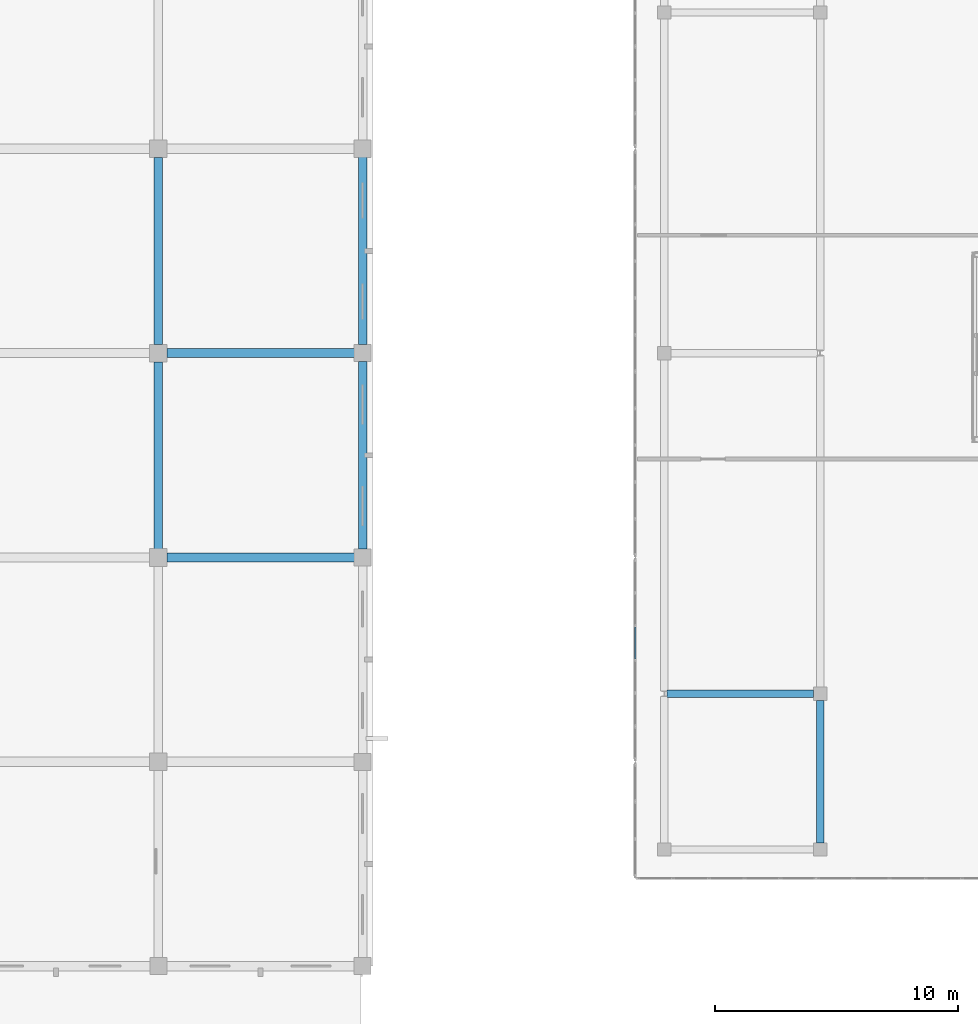
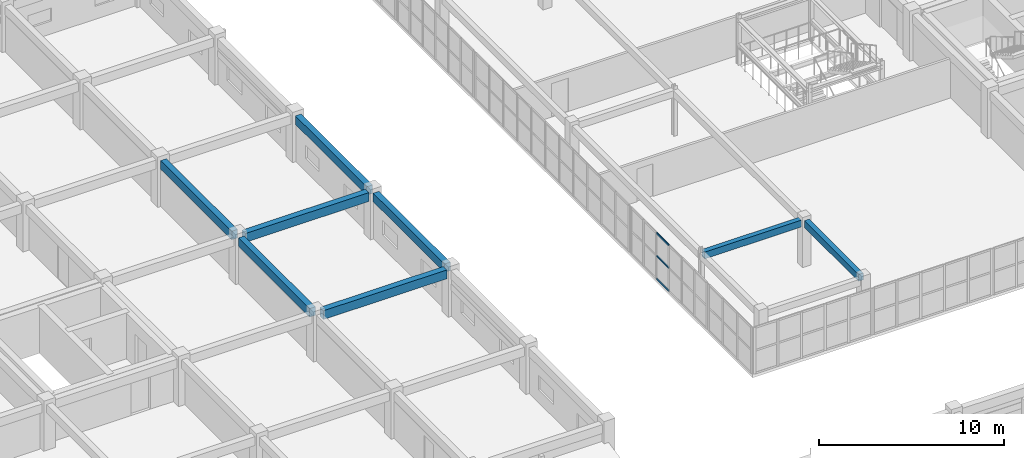
# One storey, part 17 of 148: 8 beams, 3 members, 1 element without a shape of its own.
"""IFC4 building model written with IfcOpenShell, lengths in metres."""

import ifcopenshell
import ifcopenshell.guid

model = None  # the IFC model being written
_history = None  # IfcOwnerHistory: only IFC2X3 demands one
_inside = {}  # id of a spatial element -> (the spatial element, [elements in it])
_under = {}  # id of a project, library or spatial element -> (it, [spatial elements below it])
_declared = {}  # id of a project -> (the project, [libraries it declares])
_typed = {}  # id of a type object -> (the type object, [elements of that type])
_made_of = {}  # id of a material, layer set ... -> (it, [elements and type objects made of it])


def new_model(schema):
    """Start an empty IFC model of exactly this schema.

    Asked for "IFC4X3", IfcOpenShell would pick the latest addendum, in which some entities
    have other attributes; the version numbers below select the first issue.
    IFC2X3 requires an IfcOwnerHistory on every rooted entity: one is made here for all.
    """
    global model, _history
    if schema == "IFC4X3":
        model = ifcopenshell.file(schema_version=(4, 3, 0, 0))
    else:
        model = ifcopenshell.file(schema=schema)
    _inside.clear()
    _under.clear()
    _declared.clear()
    _typed.clear()
    _made_of.clear()
    _history = None
    if model.schema == "IFC2X3":
        org = make("IfcOrganization", Name="unknown")
        user = make(
            "IfcPersonAndOrganization",
            ThePerson=make("IfcPerson", FamilyName="unknown"),
            TheOrganization=org,
        )
        app = make(
            "IfcApplication",
            ApplicationDeveloper=org,
            Version="unknown",
            ApplicationFullName="unknown",
            ApplicationIdentifier="unknown",
        )
        _history = make(
            "IfcOwnerHistory",
            OwningUser=user,
            OwningApplication=app,
            ChangeAction="ADDED",
            CreationDate=0,
        )
    return model


def make(cls, **values):
    """One entity of the class cls with the attributes given. An attribute that is None is left unset."""
    return model.create_entity(
        cls, **{name: value for name, value in values.items() if value is not None}
    )


def rooted(cls, **values):
    """An entity with a GlobalId (a new one), such as an element, a storey or a relation."""
    return make(cls, GlobalId=ifcopenshell.guid.new(), OwnerHistory=_history, **values)


def si_unit(unit_type, name, prefix=None):
    """IfcSIUnit, for example si_unit("LENGTHUNIT", "METRE", prefix="MILLI")."""
    return make("IfcSIUnit", UnitType=unit_type, Prefix=prefix, Name=name)


def assignment(units):
    """IfcUnitAssignment: the units of a project."""
    return None if units is None else make("IfcUnitAssignment", Units=units)


def point(xyz):
    """IfcCartesianPoint."""
    return None if xyz is None else make("IfcCartesianPoint", Coordinates=xyz)


def direction(xyz):
    """IfcDirection."""
    return None if xyz is None else make("IfcDirection", DirectionRatios=xyz)


def frame(location, z_axis=None, x_axis=None):
    """IfcAxis2Placement3D, a coordinate frame: its origin and axes. An axis left out is left unset."""
    return make(
        "IfcAxis2Placement3D",
        Location=point(location),
        Axis=direction(z_axis),
        RefDirection=direction(x_axis),
    )


def frame_2d(location, x_axis=None):
    """IfcAxis2Placement2D, a coordinate frame in the plane: its origin and x axis."""
    return make(
        "IfcAxis2Placement2D", Location=point(location), RefDirection=direction(x_axis)
    )


def origin():
    """The frame at (0, 0, 0) with its axes left unset."""
    return frame((0.0, 0.0, 0.0))


def origin_2d():
    """The frame at (0, 0) in the plane with its x axis left unset."""
    return frame_2d((0.0, 0.0))


def place(relative_to, where):
    """IfcLocalPlacement: puts the frame where relative to a parent placement (None: the world)."""
    return make(
        "IfcLocalPlacement", PlacementRelTo=relative_to, RelativePlacement=where
    )


def context(
    kind, dimensions, precision=None, world=None, true_north=None, identifier=None
):
    """IfcGeometricRepresentationContext, for example the 3D "Model" context."""
    return make(
        "IfcGeometricRepresentationContext",
        ContextIdentifier=identifier,
        ContextType=kind,
        CoordinateSpaceDimension=dimensions,
        Precision=precision,
        WorldCoordinateSystem=world,
        TrueNorth=true_north,
    )


def subcontext(parent, identifier, kind, view, scale=None):
    """IfcGeometricRepresentationSubContext, for example "Body" below "Model"."""
    return make(
        "IfcGeometricRepresentationSubContext",
        ContextIdentifier=identifier,
        ContextType=kind,
        ParentContext=parent,
        TargetScale=scale,
        TargetView=view,
    )


def project(units=None, contexts=None):
    """IfcProject with its units and contexts."""
    return rooted(
        "IfcProject",
        Name="project",
        RepresentationContexts=contexts,
        UnitsInContext=assignment(units),
    )


def spatial(cls, under=None, at=None, **own):
    """A site, building, storey or space (cls), placed at a placement, below another one or the project."""
    s = rooted(cls, ObjectPlacement=at, **own)
    if under is not None:
        _under.setdefault(under.id(), (under, []))[1].append(s)
    return s


def profile(cls, at=None, kind="AREA", **sizes):
    """A parametric profile (cls). Its sizes go by their IFC names, for example OverallWidth=200.0."""
    return make(cls, ProfileType=kind, Position=at, **sizes)


def rectangle(**sizes):
    """IfcRectangleProfileDef."""
    return profile("IfcRectangleProfileDef", **sizes)


def hollow_rectangle(**sizes):
    """IfcRectangleHollowProfileDef."""
    return profile("IfcRectangleHollowProfileDef", **sizes)


def extrude(swept, where, along, depth):
    """IfcExtrudedAreaSolid: the profile swept, set in the frame where, extruded along a direction by depth."""
    return make(
        "IfcExtrudedAreaSolid",
        SweptArea=swept,
        Position=where,
        ExtrudedDirection=direction(along),
        Depth=depth,
    )


def shape(context_of_items, identifier, shape_type, items):
    """IfcShapeRepresentation: the items that make up one representation, for example the "Body"."""
    return make(
        "IfcShapeRepresentation",
        ContextOfItems=context_of_items,
        RepresentationIdentifier=identifier,
        RepresentationType=shape_type,
        Items=items,
    )


def material(Name=None, Category=None):
    """IfcMaterial."""
    return make("IfcMaterial", Name=Name, Category=Category)


def layer(
    of_material, thickness, ventilated=None, Name=None, Category=None, Priority=None
):
    """IfcMaterialLayer: one layer of a wall or slab, of a material (None: an air gap)."""
    return make(
        "IfcMaterialLayer",
        Material=of_material,
        LayerThickness=thickness,
        IsVentilated=ventilated,
        Name=Name,
        Category=Category,
        Priority=Priority,
    )


def layer_set(layers, Name=None):
    """IfcMaterialLayerSet."""
    return make("IfcMaterialLayerSet", MaterialLayers=layers, LayerSetName=Name)


def material_profile(
    of_material, cross_section, Name=None, Category=None, Priority=None
):
    """IfcMaterialProfile: a cross section and its material."""
    return make(
        "IfcMaterialProfile",
        Name=Name,
        Material=of_material,
        Profile=cross_section,
        Priority=Priority,
        Category=Category,
    )


def profile_set(profiles, Name=None, composite=None):
    """IfcMaterialProfileSet."""
    return make(
        "IfcMaterialProfileSet",
        Name=Name,
        MaterialProfiles=profiles,
        CompositeProfile=composite,
    )


def made_of(thing, what):
    """Note that an element or type object is made of a material, layer set ...; save() writes the relation."""
    if what is not None:
        _made_of.setdefault(what.id(), (what, []))[1].append(thing)
    return thing


def type_object(cls, material=None, **own):
    """A type object (cls), such as IfcWallType, which elements share."""
    return made_of(rooted(cls, **own), material)


def element(
    cls,
    number,
    at=None,
    inside=None,
    cuts=None,
    type_object=None,
    material=None,
    context=None,
    identifier="Body",
    shape_type=None,
    held_by="IfcProductDefinitionShape",
    body=None,
    shapes=None,
    **own,
):
    """One element of the class cls, such as IfcWall. Its Tag is "e" and its number.

    at: its placement. inside: the storey or other place that contains it. cuts: it is an
    opening in that element (IfcRelVoidsElement). A single representation is given by context,
    identifier, shape_type and body (its items); several are given by shapes. held_by: the class
    of the entity that holds the representations. save() writes the other relations.
    """
    e = rooted(cls, Tag="e%d" % number, ObjectPlacement=at, **own)
    if body is not None:
        shapes = [shape(context, identifier, shape_type, body)]
    if shapes is not None:
        e.Representation = make(held_by, Representations=shapes)
    if inside is not None:
        _inside.setdefault(inside.id(), (inside, []))[1].append(e)
    if cuts is not None:
        rooted(
            "IfcRelVoidsElement", RelatingBuildingElement=cuts, RelatedOpeningElement=e
        )
    if type_object is not None:
        _typed.setdefault(type_object.id(), (type_object, []))[1].append(e)
    return made_of(e, material)


def aggregate(whole, parts):
    """IfcRelAggregates: a whole, such as a stair, and the parts it consists of."""
    return rooted("IfcRelAggregates", RelatingObject=whole, RelatedObjects=parts)


def save(model, path):
    """Write the relations noted so far, then the file.

    IfcRelAggregates (storeys below a building ...), IfcRelContainedInSpatialStructure (elements
    in a storey), IfcRelDefinesByType, IfcRelAssociatesMaterial and IfcRelDeclares: one each for
    every whole, place, type object, material and project.
    """
    for whole, parts in _under.values():
        aggregate(whole, parts)
    for where, things in _inside.values():
        rooted(
            "IfcRelContainedInSpatialStructure",
            RelatedElements=things,
            RelatingStructure=where,
        )
    for kind, things in _typed.values():
        rooted("IfcRelDefinesByType", RelatedObjects=things, RelatingType=kind)
    for what, things in _made_of.values():
        rooted("IfcRelAssociatesMaterial", RelatedObjects=things, RelatingMaterial=what)
    for by, libraries in _declared.values():
        rooted("IfcRelDeclares", RelatingContext=by, RelatedDefinitions=libraries)
    model.write(path)


model = new_model("IFC4")

# Units and contexts
model_context = context("Model", 3, precision=1e-05, world=origin(), true_north=direction((0.0, 1.0)))
body_context = subcontext(model_context, "Body", "Model", "MODEL_VIEW")
ifc_project = project(units=[si_unit("LENGTHUNIT", "METRE"), si_unit("AREAUNIT", "SQUARE_METRE"), si_unit("VOLUMEUNIT", "CUBIC_METRE"), si_unit("PLANEANGLEUNIT", "RADIAN"), si_unit("MASSUNIT", "GRAM", prefix="KILO")], contexts=[model_context])

# Site, building, storey
site_placement = place(None, origin())
site = spatial("IfcSite", under=ifc_project, at=site_placement, CompositionType="ELEMENT")
building_placement = place(site_placement, origin())
building = spatial("IfcBuilding", under=site, at=building_placement, Name="Trelvath General Hospital", CompositionType="ELEMENT")
storey_placement = place(building_placement, frame((0.0, 0.0, 12.89990234375)))
storey = spatial("IfcBuildingStorey", under=building, at=storey_placement, Name="L03", CompositionType="ELEMENT", Elevation=12.89990234375)

# Beams
ifc_material_1 = material(Name="Concrete C35/45", Category="concrete")
ifc_material_profile_1 = material_profile(ifc_material_1, rectangle(XDim=0.300048828125, YDim=0.449951171875, at=origin_2d()), Name="RCB300x450")
ifc_profile_set_1 = profile_set([ifc_material_profile_1], Name="Concrete C35/45")
beam_type_1 = type_object("IfcBeamType", Name="Beam RC300x450", PredefinedType="BEAM", material=ifc_profile_set_1)
beam_1_placement = place(storey_placement, frame((54.506103515625, 44.800048828125, 2.835205078125), z_axis=(1.0, 0.0, 0.0), x_axis=(0.0, 1.0, 0.0)))
element("IfcBeam", 1, at=beam_1_placement, inside=storey, type_object=beam_type_1, Name="Cube Interior Ring Beam CUBE-W-T1 L03", PredefinedType="BEAM", context=body_context, shape_type="SweptSolid", body=[
    extrude(rectangle(XDim=0.300048828125, YDim=0.449951171875, at=origin_2d()), origin(), (0.0, 0.0, 1.0), 6.02294921875),
])
beam_2_placement = place(storey_placement, frame((60.800048828125, 38.6708984375, 2.835205078125), z_axis=(0.0, 1.0, 0.0), x_axis=(-1.0, 0.0, 0.0)))
element("IfcBeam", 2, at=beam_2_placement, inside=storey, type_object=beam_type_1, Name="Cube Interior Ring Beam CUBE-W-T1 L03", PredefinedType="BEAM", context=body_context, shape_type="SweptSolid", body=[
    extrude(rectangle(XDim=0.300048828125, YDim=0.449951171875, at=origin_2d()), origin(), (0.0, 0.0, 1.0), 5.858154296875),
])
ifc_material_2 = material(Name="Concrete C35/45", Category="concrete")
ifc_material_profile_2 = material_profile(ifc_material_2, rectangle(XDim=0.360107421875, YDim=0.56005859375, at=origin_2d()), Name="RCB360x560")
ifc_profile_set_2 = profile_set([ifc_material_profile_2], Name="Concrete C35/45")
beam_type_2 = type_object("IfcBeamType", Name="Beam RC360x560", PredefinedType="BEAM", material=ifc_profile_set_2)
beam_3_placement = place(storey_placement, frame((33.60009765625, 50.7548828125, 2.739990234375), z_axis=(0.0, 1.0, 0.0), x_axis=(-1.0, 0.0, 0.0)))
element("IfcBeam", 3, at=beam_3_placement, inside=storey, type_object=beam_type_2, Name="Grid Beam BY-304G", PredefinedType="BEAM", context=body_context, shape_type="SweptSolid", body=[
    extrude(rectangle(XDim=0.360107421875, YDim=0.56005859375, at=origin_2d()), origin(), (0.0, 0.0, 1.0), 7.690185546875),
])
beam_4_placement = place(storey_placement, frame((33.60009765625, 59.155029296875, 2.739990234375), z_axis=(0.0, 1.0, 0.0), x_axis=(-1.0, 0.0, 0.0)))
element("IfcBeam", 4, at=beam_4_placement, inside=storey, type_object=beam_type_2, Name="Grid Beam BY-304H", PredefinedType="BEAM", context=body_context, shape_type="SweptSolid", body=[
    extrude(rectangle(XDim=0.360107421875, YDim=0.56005859375, at=origin_2d()), origin(), (0.0, 0.0, 1.0), 7.68994140625),
])
for number, where, z_axis, x_axis, name in (
    (5, (42.0, 50.7451171875, 2.739990234375), (0.0, 1.0, 0.0), (-1.0, 0.0, 0.0), "Grid Beam BY-305G"),
    (6, (42.0, 59.14501953125, 2.739990234375), (0.0, 1.0, 0.0), (-1.0, 0.0, 0.0), "Grid Beam BY-305H"),
):
    element("IfcBeam", number, at=place(storey_placement, frame(where, z_axis=z_axis, x_axis=x_axis)), inside=storey, type_object=beam_type_2, Name=name, PredefinedType="BEAM", context=body_context, shape_type="SweptSolid", body=[
        extrude(rectangle(XDim=0.360107421875, YDim=0.56005859375, at=origin_2d()), origin(), (0.0, 0.0, 1.0), 7.7099609375),
    ])
ifc_material_3 = material(Name="Concrete C35/45", Category="concrete")
ifc_material_profile_3 = material_profile(ifc_material_3, rectangle(XDim=0.3798828125, YDim=0.580078125, at=origin_2d()), Name="RCB380x580")
ifc_profile_set_3 = profile_set([ifc_material_profile_3], Name="Concrete C35/45")
beam_type_3 = type_object("IfcBeamType", Name="Beam RC380x580", PredefinedType="BEAM", material=ifc_profile_set_3)
for number, where, z_axis, x_axis, name in (
    (7, (33.955078125, 50.39990234375, 2.72998046875), (1.0, 0.0, 0.0), (0.0, 1.0, 0.0), "Grid Beam BX-304G"),
    (8, (33.955078125, 58.800048828125, 2.72998046875), (1.0, 0.0, 0.0), (0.0, 1.0, 0.0), "Grid Beam BX-304H"),
):
    element("IfcBeam", number, at=place(storey_placement, frame(where, z_axis=z_axis, x_axis=x_axis)), inside=storey, type_object=beam_type_3, Name=name, PredefinedType="BEAM", context=body_context, shape_type="SweptSolid", body=[
        extrude(rectangle(XDim=0.3798828125, YDim=0.580078125, at=origin_2d()), origin(), (0.0, 0.0, 1.0), 7.699951171875),
    ])

# Curtain wall, members
ifc_material_4 = material(Name="Anodised aluminium and low-E glass", Category="aluminium")
ifc_layer = layer(ifc_material_4, 0.14990234375)
ifc_layer_set = layer_set([ifc_layer], Name="Anodised aluminium and low-E glass")
curtain_wall_type = type_object("IfcCurtainWallType", Name="CW CrystalCube 824 306 15", PredefinedType="USERDEFINED", material=ifc_layer_set)
curtain_wall_placement = place(storey_placement, origin())
curtain_wall = element("IfcCurtainWall", 9, at=curtain_wall_placement, inside=storey, type_object=curtain_wall_type, Name="Crystal Cube Curtain Wall CUBE-W-T1 W2 L03", ObjectType="Unitised Glazed Curtain Wall", PredefinedType="USERDEFINED")
ifc_material_5 = material(Name="Anodised aluminium", Category="aluminium")
ifc_material_profile_4 = material_profile(ifc_material_5, hollow_rectangle(XDim=0.06005859375, YDim=0.110107421875, WallThickness=0.00390625, at=origin_2d()), Name="RHS60x110x4")
ifc_profile_set_4 = profile_set([ifc_material_profile_4], Name="Anodised aluminium")
member_type = type_object("IfcMemberType", Name="CurtainTransom 60x110", PredefinedType="USERDEFINED", material=ifc_profile_set_4)
member_1_placement = place(storey_placement, frame((53.199951171875, 46.22998046875, 0.030029296875), z_axis=(0.0, 1.0, 0.0), x_axis=(-1.0, 0.0, 0.0)))
member_1 = element("IfcMember", 10, at=member_1_placement, type_object=member_type, Name="CW-238 transom 4.1", ObjectType="TRANSOM", PredefinedType="USERDEFINED", context=body_context, shape_type="SweptSolid", body=[
    extrude(hollow_rectangle(XDim=0.06005859375, YDim=0.110107421875, WallThickness=0.00390625, at=origin_2d()), origin(), (0.0, 0.0, 1.0), 1.313232421875),
])
member_2_placement = place(storey_placement, frame((53.199951171875, 46.22998046875, 1.530029296875), z_axis=(0.0, 1.0, 0.0), x_axis=(-1.0, 0.0, 0.0)))
member_2 = element("IfcMember", 11, at=member_2_placement, type_object=member_type, Name="CW-238 transom 4.2", ObjectType="TRANSOM", PredefinedType="USERDEFINED", context=body_context, shape_type="SweptSolid", body=[
    extrude(hollow_rectangle(XDim=0.06005859375, YDim=0.110107421875, WallThickness=0.00390625, at=origin_2d()), origin(), (0.0, 0.0, 1.0), 1.313232421875),
])
member_3_placement = place(storey_placement, frame((53.199951171875, 46.22998046875, 3.030029296875), z_axis=(0.0, 1.0, 0.0), x_axis=(-1.0, 0.0, 0.0)))
member_3 = element("IfcMember", 12, at=member_3_placement, type_object=member_type, Name="CW-238 transom 4.3", ObjectType="TRANSOM", PredefinedType="USERDEFINED", context=body_context, shape_type="SweptSolid", body=[
    extrude(hollow_rectangle(XDim=0.06005859375, YDim=0.110107421875, WallThickness=0.00390625, at=origin_2d()), origin(), (0.0, 0.0, 1.0), 1.313232421875),
])
aggregate(curtain_wall, [member_1, member_2, member_3])

save(model, "model.ifc")
